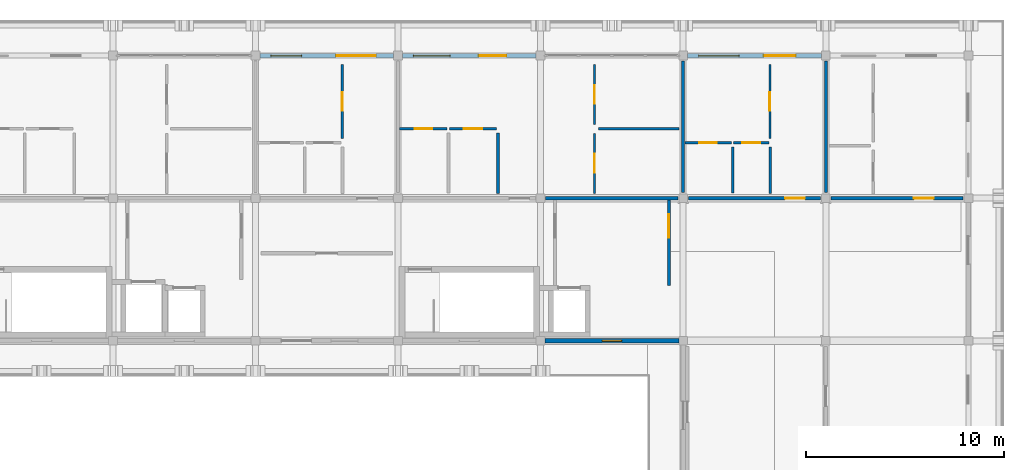
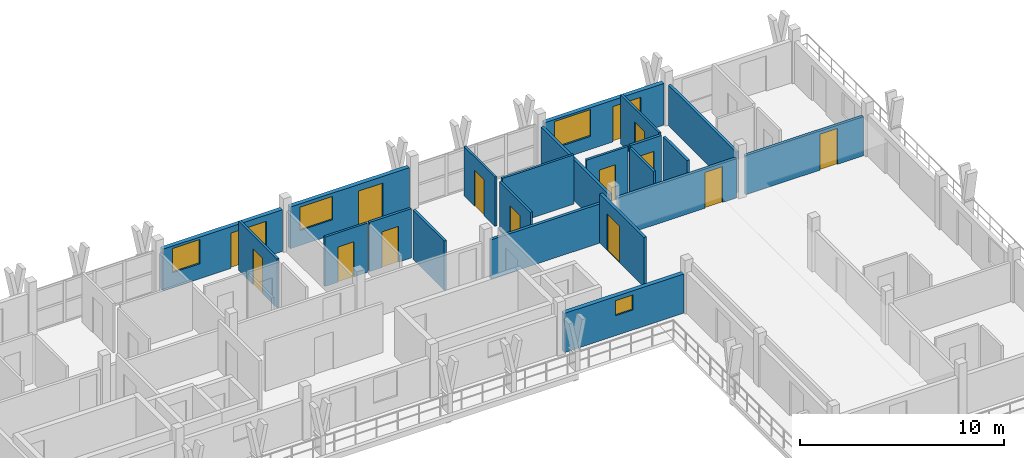
# One storey, part 25 of 32: 22 walls, 14 doors, 4 windows, 18 openings.
"""IFC4 building model written with IfcOpenShell, lengths in metres."""

from ifc_helpers import new_model, si_unit, direction, frame, frame_2d, origin, place, context, subcontext, project, spatial, rectangle, extrude, material, layer, layer_set, type_object, element, fill, save


model = new_model("IFC4")

# Units and contexts
model_context = context("Model", 3, precision=1e-05, world=origin(), true_north=direction((0.0, 1.0)))
body_context = subcontext(model_context, "Body", "Model", "MODEL_VIEW")
ifc_project = project(units=[si_unit("LENGTHUNIT", "METRE"), si_unit("AREAUNIT", "SQUARE_METRE"), si_unit("VOLUMEUNIT", "CUBIC_METRE"), si_unit("PLANEANGLEUNIT", "RADIAN"), si_unit("MASSUNIT", "GRAM", prefix="KILO")], contexts=[model_context])

# Site, building, storey
site_placement = place(None, origin())
site = spatial("IfcSite", under=ifc_project, at=site_placement, CompositionType="ELEMENT")
building_placement = place(site_placement, origin())
building = spatial("IfcBuilding", under=site, at=building_placement, Name="Suanplinth Sawtooth Commons", CompositionType="ELEMENT")
storey_placement = place(building_placement, frame((0.0, 0.0, 41.199951171875)))
storey = spatial("IfcBuildingStorey", under=building, at=storey_placement, Name="L12", CompositionType="ELEMENT", Elevation=41.199951171875)

# Wall, openings, door, window
ifc_material_1 = material(Name="Precast concrete C40/50", Category="concrete")
ifc_layer_1 = layer(ifc_material_1, 0.239990234375, Name="Upper insulated precast facade wall 240mm")
ifc_layer_set_1 = layer_set([ifc_layer_1], Name="Precast concrete C40/50")
wall_type_1 = type_object("IfcWallType", Name="W-EX03", PredefinedType="ELEMENTEDWALL", material=ifc_layer_set_1)
wall_1_placement = place(storey_placement, frame((151.425048828125, 122.39990234375, 0.0), z_axis=(0.0, 0.0, 1.0), x_axis=(1.0, 0.0, 0.0)))
wall_1 = element("IfcWall", 1, at=wall_1_placement, inside=storey, type_object=wall_type_1, Name="Facade Wall W-L12-B-N-21-16", PredefinedType="ELEMENTEDWALL", context=body_context, shape_type="SweptSolid", body=[
    extrude(rectangle(XDim=6.75, YDim=0.239990234375, at=frame_2d((3.375, 0.0))), origin(), (0.0, 0.0, 1.0), 2.4951171875),
])
opening_1_placement = place(wall_1_placement, frame((3.85009765625, 0.0, 0.0)))
opening_1 = element("IfcOpeningElement", 2, at=opening_1_placement, cuts=wall_1, Name="Opening ED0822", PredefinedType="OPENING", context=body_context, shape_type="SweptSolid", body=[
    extrude(rectangle(XDim=2.0, YDim=2.1201171875, at=frame_2d((1.0, 1.06005859375))), frame((0.0, 0.134765625, 0.0), z_axis=(0.0, -1.0, 0.0), x_axis=(1.0, 0.0, 0.0)), (0.0, 0.0, 1.0), 0.269775390625),
])
opening_2_placement = place(wall_1_placement, frame((0.550048828125, 0.0, 0.89990234375)))
opening_2 = element("IfcOpeningElement", 3, at=opening_2_placement, cuts=wall_1, Name="Opening W0907", PredefinedType="OPENING", context=body_context, shape_type="SweptSolid", body=[
    extrude(rectangle(XDim=1.550048828125, YDim=1.449951171875, at=frame_2d((0.77490234375, 0.72509765625))), frame((0.0, 0.134765625, 0.0), z_axis=(0.0, -1.0, 0.0), x_axis=(1.0, 0.0, 0.0)), (0.0, 0.0, 1.0), 0.269775390625),
])
ifc_material_2 = material(Name="Anodized aluminium and low-E glass", Category="aluminium")
door_type_1 = type_object("IfcDoorType", Name="SD-06", OperationType="DOUBLE_DOOR_SLIDING", PredefinedType="DOOR", material=ifc_material_2)
door_1_placement = place(opening_1_placement, frame((2.0, 0.0, 0.0), z_axis=(0.0, 0.0, 1.0), x_axis=(-1.0, 0.0, 0.0)))
door_1 = element("IfcDoor", 4, at=door_1_placement, inside=storey, type_object=door_type_1, Name="Balcony Sliding Door L12-B-21", OperationType="DOUBLE_DOOR_SLIDING", OverallHeight=2.1201171875, OverallWidth=2.0, PredefinedType="DOOR", context=body_context, shape_type="SweptSolid", body=[
    extrude(rectangle(XDim=2.0, YDim=2.1201171875, at=frame_2d((1.0, 1.06005859375))), frame((0.0, 0.02490234375, 0.0), z_axis=(0.0, -1.0, 0.0), x_axis=(1.0, 0.0, 0.0)), (0.0, 0.0, 1.0), 0.050048828125),
])
fill(opening_1, door_1)
ifc_material_3 = material(Name="Thermally broken aluminium and low-E double glazing", Category="aluminium")
window_type_1 = type_object("IfcWindowType", Name="WN-22", PartitioningType="DOUBLE_PANEL_VERTICAL", PredefinedType="WINDOW", material=ifc_material_3)
window_1_placement = place(opening_2_placement, origin())
window_1 = element("IfcWindow", 5, at=window_1_placement, inside=storey, type_object=window_type_1, Name="Apartment Window L12-B-21", OverallHeight=1.449951171875, OverallWidth=1.550048828125, PartitioningType="DOUBLE_PANEL_VERTICAL", PredefinedType="WINDOW", context=body_context, shape_type="SweptSolid", body=[
    extrude(rectangle(XDim=1.550048828125, YDim=1.449951171875, at=frame_2d((0.77490234375, 0.72509765625))), frame((0.0, 0.030029296875, 0.0), z_axis=(0.0, -1.0, 0.0), x_axis=(1.0, 0.0, 0.0)), (0.0, 0.0, 1.0), 0.06005859375),
])
fill(opening_2, window_1)

wall_2_placement = place(storey_placement, frame((158.625, 122.39990234375, 0.0), z_axis=(0.0, 0.0, 1.0), x_axis=(1.0, 0.0, 0.0)))
wall_2 = element("IfcWall", 6, at=wall_2_placement, inside=storey, type_object=wall_type_1, Name="Facade Wall W-L12-B-N-22-16", PredefinedType="ELEMENTEDWALL", context=body_context, shape_type="SweptSolid", body=[
    extrude(rectangle(XDim=6.75, YDim=0.239990234375, at=frame_2d((3.375, 0.0))), origin(), (0.0, 0.0, 1.0), 2.4951171875),
])
opening_3_placement = place(wall_2_placement, frame((3.85009765625, 0.0, 0.0)))
opening_3 = element("IfcOpeningElement", 7, at=opening_3_placement, cuts=wall_2, Name="Opening ED0823", PredefinedType="OPENING", context=body_context, shape_type="SweptSolid", body=[
    extrude(rectangle(XDim=1.39990234375, YDim=2.10009765625, at=frame_2d((0.699951171875, 1.050048828125))), frame((0.0, 0.134765625, 0.0), z_axis=(0.0, -1.0, 0.0), x_axis=(1.0, 0.0, 0.0)), (0.0, 0.0, 1.0), 0.269775390625),
])
opening_4_placement = place(wall_2_placement, frame((0.550048828125, 0.0, 0.89990234375)))
opening_4 = element("IfcOpeningElement", 8, at=opening_4_placement, cuts=wall_2, Name="Opening W0909", PredefinedType="OPENING", context=body_context, shape_type="SweptSolid", body=[
    extrude(rectangle(XDim=1.85009765625, YDim=1.39990234375, at=frame_2d((0.925048828125, 0.699951171875))), frame((0.0, 0.134765625, 0.0), z_axis=(0.0, -1.0, 0.0), x_axis=(1.0, 0.0, 0.0)), (0.0, 0.0, 1.0), 0.269775390625),
])
door_type_2 = type_object("IfcDoorType", Name="SD-07", OperationType="SLIDING_TO_RIGHT", PredefinedType="DOOR", material=ifc_material_2)
door_2_placement = place(opening_3_placement, frame((1.39990234375, 0.0, 0.0), z_axis=(0.0, 0.0, 1.0), x_axis=(-1.0, 0.0, 0.0)))
door_2 = element("IfcDoor", 9, at=door_2_placement, inside=storey, type_object=door_type_2, Name="Balcony Sliding Door L12-B-22", OperationType="SLIDING_TO_RIGHT", OverallHeight=2.10009765625, OverallWidth=1.39990234375, PredefinedType="DOOR", context=body_context, shape_type="SweptSolid", body=[
    extrude(rectangle(XDim=1.39990234375, YDim=2.10009765625, at=frame_2d((0.699951171875, 1.050048828125))), frame((0.0, 0.02490234375, 0.0), z_axis=(0.0, -1.0, 0.0), x_axis=(1.0, 0.0, 0.0)), (0.0, 0.0, 1.0), 0.050048828125),
])
fill(opening_3, door_2)
window_type_2 = type_object("IfcWindowType", Name="WN-23", PartitioningType="DOUBLE_PANEL_VERTICAL", PredefinedType="WINDOW", material=ifc_material_3)
window_2_placement = place(opening_4_placement, origin())
window_2 = element("IfcWindow", 10, at=window_2_placement, inside=storey, type_object=window_type_2, Name="Apartment Window L12-B-22", OverallHeight=1.39990234375, OverallWidth=1.85009765625, PartitioningType="DOUBLE_PANEL_VERTICAL", PredefinedType="WINDOW", context=body_context, shape_type="SweptSolid", body=[
    extrude(rectangle(XDim=1.85009765625, YDim=1.39990234375, at=frame_2d((0.925048828125, 0.699951171875))), frame((0.0, 0.030029296875, 0.0), z_axis=(0.0, -1.0, 0.0), x_axis=(1.0, 0.0, 0.0)), (0.0, 0.0, 1.0), 0.06005859375),
])
fill(opening_4, window_2)

# Wall, opening, window
wall_3_placement = place(storey_placement, frame((165.824951171875, 108.0, 0.0), z_axis=(0.0, 0.0, 1.0), x_axis=(1.0, 0.0, 0.0)))
wall_3 = element("IfcWall", 11, at=wall_3_placement, inside=storey, type_object=wall_type_1, Name="Facade Wall W-L12-B-S-23-15", PredefinedType="ELEMENTEDWALL", context=body_context, shape_type="SweptSolid", body=[
    extrude(rectangle(XDim=6.75, YDim=0.239990234375, at=frame_2d((3.375, 0.0))), origin(), (0.0, 0.0, 1.0), 2.344970703125),
])
opening_5_placement = place(wall_3_placement, frame((2.875, 0.0, 1.199951171875)))
opening_5 = element("IfcOpeningElement", 12, at=opening_5_placement, cuts=wall_3, Name="Opening W0910", PredefinedType="OPENING", context=body_context, shape_type="SweptSolid", body=[
    extrude(rectangle(XDim=1.0, YDim=0.89990234375, at=frame_2d((0.5, 0.449951171875))), frame((0.0, 0.134765625, 0.0), z_axis=(0.0, -1.0, 0.0), x_axis=(1.0, 0.0, 0.0)), (0.0, 0.0, 1.0), 0.269775390625),
])
window_type_3 = type_object("IfcWindowType", Name="WN-12", PartitioningType="SINGLE_PANEL", PredefinedType="WINDOW", material=ifc_material_3)
window_3_placement = place(opening_5_placement, origin())
window_3 = element("IfcWindow", 13, at=window_3_placement, inside=storey, type_object=window_type_3, Name="Core Daylight Window L12-B-23-15", OverallHeight=0.89990234375, OverallWidth=1.0, PartitioningType="SINGLE_PANEL", PredefinedType="WINDOW", context=body_context, shape_type="SweptSolid", body=[
    extrude(rectangle(XDim=1.0, YDim=0.89990234375, at=frame_2d((0.5, 0.449951171875))), frame((0.0, 0.030029296875, 0.0), z_axis=(0.0, -1.0, 0.0), x_axis=(1.0, 0.0, 0.0)), (0.0, 0.0, 1.0), 0.06005859375),
])
fill(opening_5, window_3)

# Wall, openings, door, window
wall_4_placement = place(storey_placement, frame((173.02490234375, 122.39990234375, 0.0), z_axis=(0.0, 0.0, 1.0), x_axis=(1.0, 0.0, 0.0)))
wall_4 = element("IfcWall", 14, at=wall_4_placement, inside=storey, type_object=wall_type_1, Name="Facade Wall W-L12-B-N-24-16", PredefinedType="ELEMENTEDWALL", context=body_context, shape_type="SweptSolid", body=[
    extrude(rectangle(XDim=6.75, YDim=0.239990234375, at=frame_2d((3.375, 0.0))), origin(), (0.0, 0.0, 1.0), 2.4951171875),
])
opening_6_placement = place(wall_4_placement, frame((3.85009765625, 0.0, 0.0)))
opening_6 = element("IfcOpeningElement", 15, at=opening_6_placement, cuts=wall_4, Name="Opening ED0826", PredefinedType="OPENING", context=body_context, shape_type="SweptSolid", body=[
    extrude(rectangle(XDim=1.60009765625, YDim=2.1201171875, at=frame_2d((0.800048828125, 1.06005859375))), frame((0.0, 0.134765625, 0.0), z_axis=(0.0, -1.0, 0.0), x_axis=(1.0, 0.0, 0.0)), (0.0, 0.0, 1.0), 0.269775390625),
])
opening_7_placement = place(wall_4_placement, frame((0.550048828125, 0.0, 0.780029296875)))
opening_7 = element("IfcOpeningElement", 16, at=opening_7_placement, cuts=wall_4, Name="Opening W0912", PredefinedType="OPENING", context=body_context, shape_type="SweptSolid", body=[
    extrude(rectangle(XDim=2.050048828125, YDim=1.60009765625, at=frame_2d((1.02490234375, 0.800048828125))), frame((0.0, 0.134765625, 0.0), z_axis=(0.0, -1.0, 0.0), x_axis=(1.0, 0.0, 0.0)), (0.0, 0.0, 1.0), 0.269775390625),
])
door_type_3 = type_object("IfcDoorType", Name="SD-02", OperationType="SLIDING_TO_RIGHT", PredefinedType="DOOR", material=ifc_material_2)
door_3_placement = place(opening_6_placement, frame((1.60009765625, 0.0, 0.0), z_axis=(0.0, 0.0, 1.0), x_axis=(-1.0, 0.0, 0.0)))
door_3 = element("IfcDoor", 17, at=door_3_placement, inside=storey, type_object=door_type_3, Name="Balcony Sliding Door L12-B-24", OperationType="SLIDING_TO_RIGHT", OverallHeight=2.1201171875, OverallWidth=1.60009765625, PredefinedType="DOOR", context=body_context, shape_type="SweptSolid", body=[
    extrude(rectangle(XDim=1.60009765625, YDim=2.1201171875, at=frame_2d((0.800048828125, 1.06005859375))), frame((0.0, 0.02490234375, 0.0), z_axis=(0.0, -1.0, 0.0), x_axis=(1.0, 0.0, 0.0)), (0.0, 0.0, 1.0), 0.050048828125),
])
fill(opening_6, door_3)
window_type_4 = type_object("IfcWindowType", Name="WN-25", PartitioningType="DOUBLE_PANEL_VERTICAL", PredefinedType="WINDOW", material=ifc_material_3)
window_4_placement = place(opening_7_placement, origin())
window_4 = element("IfcWindow", 18, at=window_4_placement, inside=storey, type_object=window_type_4, Name="Apartment Window L12-B-24", OverallHeight=1.60009765625, OverallWidth=2.050048828125, PartitioningType="DOUBLE_PANEL_VERTICAL", PredefinedType="WINDOW", context=body_context, shape_type="SweptSolid", body=[
    extrude(rectangle(XDim=2.050048828125, YDim=1.60009765625, at=frame_2d((1.02490234375, 0.800048828125))), frame((0.0, 0.030029296875, 0.0), z_axis=(0.0, -1.0, 0.0), x_axis=(1.0, 0.0, 0.0)), (0.0, 0.0, 1.0), 0.06005859375),
])
fill(opening_7, window_4)

# Wall, opening, door
ifc_layer_2 = layer(ifc_material_1, 0.159912109375, Name="Fire-rated corridor and lobby wall 160mm")
ifc_layer_set_2 = layer_set([ifc_layer_2], Name="Precast concrete C40/50")
wall_type_2 = type_object("IfcWallType", Name="W-FW01", PredefinedType="PARTITIONING", material=ifc_layer_set_2)
wall_5_placement = place(storey_placement, frame((172.080078125, 110.800048828125, 0.0), z_axis=(0.0, 0.0, 1.0), x_axis=(0.0, 1.0, 0.0)))
wall_5 = element("IfcWall", 19, at=wall_5_placement, inside=storey, type_object=wall_type_2, Name="W-L12-C-B2-LOB-E", PredefinedType="PARTITIONING", context=body_context, shape_type="SweptSolid", body=[
    extrude(rectangle(XDim=4.320068359375, YDim=0.159912109375, at=frame_2d((2.16015625, 0.0))), origin(), (0.0, 0.0, 1.0), 2.949951171875),
])
opening_8_placement = place(wall_5_placement, frame((2.39990234375, 0.0, 0.0)))
opening_8 = element("IfcOpeningElement", 20, at=opening_8_placement, cuts=wall_5, Name="Opening FD0274", PredefinedType="OPENING", context=body_context, shape_type="SweptSolid", body=[
    extrude(rectangle(XDim=1.199951171875, YDim=2.199951171875, at=frame_2d((0.60009765625, 1.10009765625))), frame((0.0, 0.0947265625, 0.0), z_axis=(0.0, -1.0, 0.0), x_axis=(1.0, 0.0, 0.0)), (0.0, 0.0, 1.0), 0.189697265625),
])
ifc_material_4 = material(Name="Teak hardwood fire-rated door assembly", Category="wood")
door_type_4 = type_object("IfcDoorType", Name="FD-02", OperationType="NOTDEFINED", PredefinedType="DOOR", material=ifc_material_4)
door_4_placement = place(opening_8_placement, frame((1.199951171875, 0.0, 0.0), z_axis=(0.0, 0.0, 1.0), x_axis=(-1.0, 0.0, 0.0)))
door_4 = element("IfcDoor", 21, at=door_4_placement, inside=storey, type_object=door_type_4, Name="Lobby Fire Door FD0274", OperationType="SINGLE_SWING_RIGHT", OverallHeight=2.199951171875, OverallWidth=1.199951171875, PredefinedType="DOOR", context=body_context, shape_type="SweptSolid", body=[
    extrude(rectangle(XDim=1.199951171875, YDim=2.199951171875, at=frame_2d((0.60009765625, 1.10009765625))), frame((0.0, 0.02490234375, 0.0), z_axis=(0.0, -1.0, 0.0), x_axis=(1.0, 0.0, 0.0)), (0.0, 0.0, 1.0), 0.050048828125),
])
fill(opening_8, door_4)

# Wall
wall_6_placement = place(storey_placement, frame((165.85498046875, 115.199951171875, 0.0), z_axis=(0.0, 0.0, 1.0), x_axis=(1.0, 0.0, 0.0)))
element("IfcWall", 22, at=wall_6_placement, inside=storey, type_object=wall_type_2, Name="W-B-L12-U03-COR-S2", PredefinedType="PARTITIONING", context=body_context, shape_type="SweptSolid", body=[
    extrude(rectangle(XDim=6.68994140625, YDim=0.159912109375, at=frame_2d((3.344970703125, 0.0))), origin(), (0.0, 0.0, 1.0), 2.344970703125),
])

# Wall, opening, door
wall_7_placement = place(storey_placement, frame((173.054931640625, 115.199951171875, 0.0), z_axis=(0.0, 0.0, 1.0), x_axis=(1.0, 0.0, 0.0)))
wall_7 = element("IfcWall", 23, at=wall_7_placement, inside=storey, type_object=wall_type_2, Name="W-B-L12-U04-COR", PredefinedType="PARTITIONING", context=body_context, shape_type="SweptSolid", body=[
    extrude(rectangle(XDim=6.690185546875, YDim=0.159912109375, at=frame_2d((3.34521484375, 0.0))), origin(), (0.0, 0.0, 1.0), 2.344970703125),
])
opening_9_placement = place(wall_7_placement, frame((4.89501953125, 0.0, 0.0)))
opening_9 = element("IfcOpeningElement", 24, at=opening_9_placement, cuts=wall_7, Name="Opening FD2024", PredefinedType="OPENING", context=body_context, shape_type="SweptSolid", body=[
    extrude(rectangle(XDim=1.0, YDim=2.14990234375, at=frame_2d((0.5, 1.074951171875))), frame((0.0, 0.0947265625, 0.0), z_axis=(0.0, -1.0, 0.0), x_axis=(1.0, 0.0, 0.0)), (0.0, 0.0, 1.0), 0.189697265625),
])
door_type_5 = type_object("IfcDoorType", Name="FD-03", OperationType="NOTDEFINED", PredefinedType="DOOR", material=ifc_material_4)
door_5_placement = place(opening_9_placement, origin())
door_5 = element("IfcDoor", 25, at=door_5_placement, inside=storey, type_object=door_type_5, Name="Unit Entrance Door FD2024", OperationType="SINGLE_SWING_RIGHT", OverallHeight=2.14990234375, OverallWidth=1.0, PredefinedType="DOOR", context=body_context, shape_type="SweptSolid", body=[
    extrude(rectangle(XDim=1.0, YDim=2.14990234375, at=frame_2d((0.5, 1.074951171875))), frame((0.0, 0.02490234375, 0.0), z_axis=(0.0, -1.0, 0.0), x_axis=(1.0, 0.0, 0.0)), (0.0, 0.0, 1.0), 0.050048828125),
])
fill(opening_9, door_5)

wall_8_placement = place(storey_placement, frame((180.2548828125, 115.199951171875, 0.0), z_axis=(0.0, 0.0, 1.0), x_axis=(1.0, 0.0, 0.0)))
wall_8 = element("IfcWall", 26, at=wall_8_placement, inside=storey, type_object=wall_type_2, Name="W-B-L12-U05-COR", PredefinedType="PARTITIONING", context=body_context, shape_type="SweptSolid", body=[
    extrude(rectangle(XDim=6.6650390625, YDim=0.159912109375, at=frame_2d((3.33251953125, 0.0))), origin(), (0.0, 0.0, 1.0), 2.344970703125),
])
opening_10_placement = place(wall_8_placement, frame((4.195068359375, 0.0, 0.0)))
opening_10 = element("IfcOpeningElement", 27, at=opening_10_placement, cuts=wall_8, Name="Opening FD2028", PredefinedType="OPENING", context=body_context, shape_type="SweptSolid", body=[
    extrude(rectangle(XDim=1.0, YDim=2.14990234375, at=frame_2d((0.5, 1.074951171875))), frame((0.0, 0.0947265625, 0.0), z_axis=(0.0, -1.0, 0.0), x_axis=(1.0, 0.0, 0.0)), (0.0, 0.0, 1.0), 0.189697265625),
])
door_6_placement = place(opening_10_placement, origin())
door_6 = element("IfcDoor", 28, at=door_6_placement, inside=storey, type_object=door_type_5, Name="Unit Entrance Door FD2028", OperationType="SINGLE_SWING_RIGHT", OverallHeight=2.14990234375, OverallWidth=1.0, PredefinedType="DOOR", context=body_context, shape_type="SweptSolid", body=[
    extrude(rectangle(XDim=1.0, YDim=2.14990234375, at=frame_2d((0.5, 1.074951171875))), frame((0.0, 0.02490234375, 0.0), z_axis=(0.0, -1.0, 0.0), x_axis=(1.0, 0.0, 0.0)), (0.0, 0.0, 1.0), 0.050048828125),
])
fill(opening_10, door_6)

# Walls
ifc_layer_3 = layer(ifc_material_1, 0.14990234375, Name="Acoustic precast party demising wall 150mm")
ifc_layer_set_3 = layer_set([ifc_layer_3], Name="Precast concrete C40/50")
wall_type_3 = type_object("IfcWallType", Name="W-FW02", PredefinedType="PARTITIONING", material=ifc_layer_set_3)
for number, where, z_axis, x_axis, name in (
    (29, (172.800048828125, 115.47998046875, 0.0), (0.0, 0.0, 1.0), (0.0, 1.0, 0.0), "W-B-L12-U03-PTY"),
    (30, (180.0, 115.47998046875, 0.0), (0.0, 0.0, 1.0), (0.0, 1.0, 0.0), "W-B-L12-U04-PTY"),
):
    element("IfcWall", number, at=place(storey_placement, frame(where, z_axis=z_axis, x_axis=x_axis)), inside=storey, type_object=wall_type_3, Name=name, PredefinedType="PARTITIONING", context=body_context, shape_type="SweptSolid", body=[
        extrude(rectangle(XDim=6.64013671875, YDim=0.14990234375, at=frame_2d((3.320068359375, 0.0))), origin(), (0.0, 0.0, 1.0), 2.445068359375),
    ])

# Wall, opening, door
ifc_material_5 = material(Name="Gypsum plasterboard on steel stud", Category="steel")
ifc_layer_4 = layer(ifc_material_5, 0.139892578125, Name="Fire-rated kitchen partition 140mm")
ifc_layer_set_4 = layer_set([ifc_layer_4], Name="Gypsum plasterboard on steel stud")
wall_type_4 = type_object("IfcWallType", Name="W-PT01", PredefinedType="PARTITIONING", material=ifc_layer_set_4)
wall_9_placement = place(storey_placement, frame((161.0, 118.7099609375, 0.0), z_axis=(0.0, 0.0, 1.0), x_axis=(1.0, 0.0, 0.0)))
wall_9 = element("IfcWall", 31, at=wall_9_placement, inside=storey, type_object=wall_type_4, Name="W-B-L12-U03-KIT1", PredefinedType="PARTITIONING", context=body_context, shape_type="SweptSolid", body=[
    extrude(rectangle(XDim=2.3798828125, YDim=0.139892578125, at=frame_2d((1.18994140625, 0.0))), origin(), (0.0, 0.0, 1.0), 2.949951171875),
])
opening_11_placement = place(wall_9_placement, frame((0.72509765625, 0.0, 0.0)))
opening_11 = element("IfcOpeningElement", 32, at=opening_11_placement, cuts=wall_9, Name="Opening D2021", PredefinedType="OPENING", context=body_context, shape_type="SweptSolid", body=[
    extrude(rectangle(XDim=0.929931640625, YDim=2.139892578125, at=frame_2d((0.46484375, 1.06982421875))), frame((0.0, 0.0849609375, 0.0), z_axis=(0.0, -1.0, 0.0), x_axis=(1.0, 0.0, 0.0)), (0.0, 0.0, 1.0), 0.169677734375),
])
ifc_material_6 = material(Name="Teak hardwood", Category="wood")
door_type_6 = type_object("IfcDoorType", Name="D-19", OperationType="NOTDEFINED", PredefinedType="DOOR", material=ifc_material_6)
door_7_placement = place(opening_11_placement, frame((0.929931640625, 0.0, 0.0), z_axis=(0.0, 0.0, 1.0), x_axis=(-1.0, 0.0, 0.0)))
door_7 = element("IfcDoor", 33, at=door_7_placement, inside=storey, type_object=door_type_6, Name="Kitchen Door D2021", OperationType="SINGLE_SWING_LEFT", OverallHeight=2.139892578125, OverallWidth=0.929931640625, PredefinedType="DOOR", context=body_context, shape_type="SweptSolid", body=[
    extrude(rectangle(XDim=0.929931640625, YDim=2.139892578125, at=frame_2d((0.46484375, 1.06982421875))), frame((0.0, 0.02490234375, 0.0), z_axis=(0.0, -1.0, 0.0), x_axis=(1.0, 0.0, 0.0)), (0.0, 0.0, 1.0), 0.050048828125),
])
fill(opening_11, door_7)

# Wall
wall_10_placement = place(storey_placement, frame((163.449951171875, 115.429931640625, 0.0), z_axis=(0.0, 0.0, 1.0), x_axis=(0.0, 1.0, 0.0)))
element("IfcWall", 34, at=wall_10_placement, inside=storey, type_object=wall_type_4, Name="W-B-L12-U03-KIT2", PredefinedType="PARTITIONING", context=body_context, shape_type="SweptSolid", body=[
    extrude(rectangle(XDim=3.06005859375, YDim=0.139892578125, at=frame_2d((1.530029296875, 0.0))), origin(), (0.0, 0.0, 1.0), 2.949951171875),
])

# Wall, opening, door
wall_11_placement = place(storey_placement, frame((175.35009765625, 118.0, 0.0), z_axis=(0.0, 0.0, 1.0), x_axis=(1.0, 0.0, 0.0)))
wall_11 = element("IfcWall", 35, at=wall_11_placement, inside=storey, type_object=wall_type_4, Name="W-B-L12-U04-KIT1", PredefinedType="PARTITIONING", context=body_context, shape_type="SweptSolid", body=[
    extrude(rectangle(XDim=1.77001953125, YDim=0.139892578125, at=frame_2d((0.885009765625, 0.0))), origin(), (0.0, 0.0, 1.0), 2.949951171875),
])
opening_12_placement = place(wall_11_placement, frame((0.419921875, 0.0, 0.0)))
opening_12 = element("IfcOpeningElement", 36, at=opening_12_placement, cuts=wall_11, Name="Opening D2026", PredefinedType="OPENING", context=body_context, shape_type="SweptSolid", body=[
    extrude(rectangle(XDim=0.929931640625, YDim=2.139892578125, at=frame_2d((0.46484375, 1.06982421875))), frame((0.0, 0.0849609375, 0.0), z_axis=(0.0, -1.0, 0.0), x_axis=(1.0, 0.0, 0.0)), (0.0, 0.0, 1.0), 0.169677734375),
])
door_8_placement = place(opening_12_placement, frame((0.929931640625, 0.0, 0.0), z_axis=(0.0, 0.0, 1.0), x_axis=(-1.0, 0.0, 0.0)))
door_8 = element("IfcDoor", 37, at=door_8_placement, inside=storey, type_object=door_type_6, Name="Kitchen Door D2026", OperationType="SINGLE_SWING_RIGHT", OverallHeight=2.139892578125, OverallWidth=0.929931640625, PredefinedType="DOOR", context=body_context, shape_type="SweptSolid", body=[
    extrude(rectangle(XDim=0.929931640625, YDim=2.139892578125, at=frame_2d((0.46484375, 1.06982421875))), frame((0.0, 0.02490234375, 0.0), z_axis=(0.0, -1.0, 0.0), x_axis=(1.0, 0.0, 0.0)), (0.0, 0.0, 1.0), 0.050048828125),
])
fill(opening_12, door_8)

# Wall
wall_12_placement = place(storey_placement, frame((177.18994140625, 115.429931640625, 0.0), z_axis=(0.0, 0.0, 1.0), x_axis=(0.0, 1.0, 0.0)))
element("IfcWall", 38, at=wall_12_placement, inside=storey, type_object=wall_type_4, Name="W-B-L12-U04-KIT2", PredefinedType="PARTITIONING", context=body_context, shape_type="SweptSolid", body=[
    extrude(rectangle(XDim=2.35009765625, YDim=0.139892578125, at=frame_2d((1.175048828125, 0.0))), origin(), (0.0, 0.0, 1.0), 2.949951171875),
])

# Wall, opening, door
ifc_layer_5 = layer(ifc_material_5, 0.1298828125, Name="Moisture-resistant bathroom partition 130mm")
ifc_layer_set_5 = layer_set([ifc_layer_5], Name="Gypsum plasterboard on steel stud")
wall_type_5 = type_object("IfcWallType", Name="W-PT02", PredefinedType="PARTITIONING", material=ifc_layer_set_5)
wall_13_placement = place(storey_placement, frame((158.47998046875, 118.705078125, 0.0), z_axis=(0.0, 0.0, 1.0), x_axis=(1.0, 0.0, 0.0)))
wall_13 = element("IfcWall", 39, at=wall_13_placement, inside=storey, type_object=wall_type_5, Name="W-B-L12-U03-BTH1", PredefinedType="PARTITIONING", context=body_context, shape_type="SweptSolid", body=[
    extrude(rectangle(XDim=2.39990234375, YDim=0.1298828125, at=frame_2d((1.199951171875, 0.0))), origin(), (0.0, 0.0, 1.0), 2.949951171875),
])
opening_13_placement = place(wall_13_placement, frame((0.75, 0.0, 0.0)))
opening_13 = element("IfcOpeningElement", 40, at=opening_13_placement, cuts=wall_13, Name="Opening D2020", PredefinedType="OPENING", context=body_context, shape_type="SweptSolid", body=[
    extrude(rectangle(XDim=0.89990234375, YDim=2.10009765625, at=frame_2d((0.449951171875, 1.050048828125))), frame((0.0, 0.079833984375, 0.0), z_axis=(0.0, -1.0, 0.0), x_axis=(1.0, 0.0, 0.0)), (0.0, 0.0, 1.0), 0.15966796875),
])
door_type_7 = type_object("IfcDoorType", Name="D-01", OperationType="NOTDEFINED", PredefinedType="DOOR", material=ifc_material_6)
door_9_placement = place(opening_13_placement, frame((0.89990234375, 0.0, 0.0), z_axis=(0.0, 0.0, 1.0), x_axis=(-1.0, 0.0, 0.0)))
door_9 = element("IfcDoor", 41, at=door_9_placement, inside=storey, type_object=door_type_7, Name="Bathroom Door D2020", OperationType="SINGLE_SWING_RIGHT", OverallHeight=2.10009765625, OverallWidth=0.89990234375, PredefinedType="DOOR", context=body_context, shape_type="SweptSolid", body=[
    extrude(rectangle(XDim=0.89990234375, YDim=2.10009765625, at=frame_2d((0.449951171875, 1.050048828125))), frame((0.0, 0.02490234375, 0.0), z_axis=(0.0, -1.0, 0.0), x_axis=(1.0, 0.0, 0.0)), (0.0, 0.0, 1.0), 0.050048828125),
])
fill(opening_13, door_9)

wall_14_placement = place(storey_placement, frame((172.8798828125, 117.9951171875, 0.0), z_axis=(0.0, 0.0, 1.0), x_axis=(1.0, 0.0, 0.0)))
wall_14 = element("IfcWall", 42, at=wall_14_placement, inside=storey, type_object=wall_type_5, Name="W-B-L12-U04-BTH1", PredefinedType="PARTITIONING", context=body_context, shape_type="SweptSolid", body=[
    extrude(rectangle(XDim=2.35009765625, YDim=0.1298828125, at=frame_2d((1.175048828125, 0.0))), origin(), (0.0, 0.0, 1.0), 2.949951171875),
])
opening_14_placement = place(wall_14_placement, frame((0.72509765625, 0.0, 0.0)))
opening_14 = element("IfcOpeningElement", 43, at=opening_14_placement, cuts=wall_14, Name="Opening D2025", PredefinedType="OPENING", context=body_context, shape_type="SweptSolid", body=[
    extrude(rectangle(XDim=0.89990234375, YDim=2.10009765625, at=frame_2d((0.449951171875, 1.050048828125))), frame((0.0, 0.079833984375, 0.0), z_axis=(0.0, -1.0, 0.0), x_axis=(1.0, 0.0, 0.0)), (0.0, 0.0, 1.0), 0.15966796875),
])
door_10_placement = place(opening_14_placement, frame((0.89990234375, 0.0, 0.0), z_axis=(0.0, 0.0, 1.0), x_axis=(-1.0, 0.0, 0.0)))
door_10 = element("IfcDoor", 44, at=door_10_placement, inside=storey, type_object=door_type_7, Name="Bathroom Door D2025", OperationType="SINGLE_SWING_LEFT", OverallHeight=2.10009765625, OverallWidth=0.89990234375, PredefinedType="DOOR", context=body_context, shape_type="SweptSolid", body=[
    extrude(rectangle(XDim=0.89990234375, YDim=2.10009765625, at=frame_2d((0.449951171875, 1.050048828125))), frame((0.0, 0.02490234375, 0.0), z_axis=(0.0, -1.0, 0.0), x_axis=(1.0, 0.0, 0.0)), (0.0, 0.0, 1.0), 0.050048828125),
])
fill(opening_14, door_10)

# Wall
wall_15_placement = place(storey_placement, frame((175.294921875, 115.4599609375, 0.0), z_axis=(0.0, 0.0, 1.0), x_axis=(0.0, 1.0, 0.0)))
element("IfcWall", 45, at=wall_15_placement, inside=storey, type_object=wall_type_5, Name="W-B-L12-U04-BTH2", PredefinedType="PARTITIONING", context=body_context, shape_type="SweptSolid", body=[
    extrude(rectangle(XDim=2.330078125, YDim=0.1298828125, at=frame_2d((1.1650390625, 0.0))), origin(), (0.0, 0.0, 1.0), 2.949951171875),
])

# Wall, opening, door
ifc_layer_6 = layer(ifc_material_5, 0.1201171875, Name="Acoustic bedroom partition 120mm")
ifc_layer_set_6 = layer_set([ifc_layer_6], Name="Gypsum plasterboard on steel stud")
wall_type_6 = type_object("IfcWallType", Name="W-PT03", PredefinedType="PARTITIONING", material=ifc_layer_set_6)
wall_16_placement = place(storey_placement, frame((155.580078125, 118.2099609375, 0.0), z_axis=(0.0, 0.0, 1.0), x_axis=(0.0, 1.0, 0.0)))
wall_16 = element("IfcWall", 46, at=wall_16_placement, inside=storey, type_object=wall_type_6, Name="W-B-L12-U02-BED1", PredefinedType="PARTITIONING", context=body_context, shape_type="SweptSolid", body=[
    extrude(rectangle(XDim=3.75, YDim=0.1201171875, at=frame_2d((1.875, 0.0))), origin(), (0.0, 0.0, 1.0), 2.949951171875),
])
opening_15_placement = place(wall_16_placement, frame((1.39990234375, 0.0, 0.0)))
opening_15 = element("IfcOpeningElement", 47, at=opening_15_placement, cuts=wall_16, Name="Opening D2018", PredefinedType="OPENING", context=body_context, shape_type="SweptSolid", body=[
    extrude(rectangle(XDim=0.949951171875, YDim=2.14990234375, at=frame_2d((0.47509765625, 1.074951171875))), frame((0.0, 0.074951171875, 0.0), z_axis=(0.0, -1.0, 0.0), x_axis=(1.0, 0.0, 0.0)), (0.0, 0.0, 1.0), 0.14990234375),
])
door_type_8 = type_object("IfcDoorType", Name="D-03", OperationType="NOTDEFINED", PredefinedType="DOOR", material=ifc_material_6)
door_11_placement = place(opening_15_placement, origin())
door_11 = element("IfcDoor", 48, at=door_11_placement, inside=storey, type_object=door_type_8, Name="Bedroom Door D2018", OperationType="SINGLE_SWING_RIGHT", OverallHeight=2.14990234375, OverallWidth=0.949951171875, PredefinedType="DOOR", context=body_context, shape_type="SweptSolid", body=[
    extrude(rectangle(XDim=0.949951171875, YDim=2.14990234375, at=frame_2d((0.47509765625, 1.074951171875))), frame((0.0, 0.02490234375, 0.0), z_axis=(0.0, -1.0, 0.0), x_axis=(1.0, 0.0, 0.0)), (0.0, 0.0, 1.0), 0.050048828125),
])
fill(opening_15, door_11)

wall_17_placement = place(storey_placement, frame((168.320068359375, 118.919921875, 0.0), z_axis=(0.0, 0.0, 1.0), x_axis=(0.0, 1.0, 0.0)))
wall_17 = element("IfcWall", 49, at=wall_17_placement, inside=storey, type_object=wall_type_6, Name="W-B-L12-U03-BED1", PredefinedType="PARTITIONING", context=body_context, shape_type="SweptSolid", body=[
    extrude(rectangle(XDim=3.0400390625, YDim=0.1201171875, at=frame_2d((1.52001953125, 0.0))), origin(), (0.0, 0.0, 1.0), 2.949951171875),
])
opening_16_placement = place(wall_17_placement, frame((1.044921875, 0.0, 0.0)))
opening_16 = element("IfcOpeningElement", 50, at=opening_16_placement, cuts=wall_17, Name="Opening D2022", PredefinedType="OPENING", context=body_context, shape_type="SweptSolid", body=[
    extrude(rectangle(XDim=0.949951171875, YDim=2.14990234375, at=frame_2d((0.47509765625, 1.074951171875))), frame((0.0, 0.074951171875, 0.0), z_axis=(0.0, -1.0, 0.0), x_axis=(1.0, 0.0, 0.0)), (0.0, 0.0, 1.0), 0.14990234375),
])
door_12_placement = place(opening_16_placement, frame((0.949951171875, 0.0, 0.0), z_axis=(0.0, 0.0, 1.0), x_axis=(-1.0, 0.0, 0.0)))
door_12 = element("IfcDoor", 51, at=door_12_placement, inside=storey, type_object=door_type_8, Name="Bedroom Door D2022", OperationType="SINGLE_SWING_RIGHT", OverallHeight=2.14990234375, OverallWidth=0.949951171875, PredefinedType="DOOR", context=body_context, shape_type="SweptSolid", body=[
    extrude(rectangle(XDim=0.949951171875, YDim=2.14990234375, at=frame_2d((0.47509765625, 1.074951171875))), frame((0.0, 0.02490234375, 0.0), z_axis=(0.0, -1.0, 0.0), x_axis=(1.0, 0.0, 0.0)), (0.0, 0.0, 1.0), 0.050048828125),
])
fill(opening_16, door_12)

wall_18_placement = place(storey_placement, frame((168.320068359375, 115.43994140625, 0.0), z_axis=(0.0, 0.0, 1.0), x_axis=(0.0, 1.0, 0.0)))
wall_18 = element("IfcWall", 52, at=wall_18_placement, inside=storey, type_object=wall_type_6, Name="W-B-L12-U03-BED2", PredefinedType="PARTITIONING", context=body_context, shape_type="SweptSolid", body=[
    extrude(rectangle(XDim=3.0400390625, YDim=0.1201171875, at=frame_2d((1.52001953125, 0.0))), origin(), (0.0, 0.0, 1.0), 2.949951171875),
])
opening_17_placement = place(wall_18_placement, frame((1.0400390625, 0.0, 0.0)))
opening_17 = element("IfcOpeningElement", 53, at=opening_17_placement, cuts=wall_18, Name="Opening D2023", PredefinedType="OPENING", context=body_context, shape_type="SweptSolid", body=[
    extrude(rectangle(XDim=0.9599609375, YDim=2.14990234375, at=frame_2d((0.47998046875, 1.074951171875))), frame((0.0, 0.074951171875, 0.0), z_axis=(0.0, -1.0, 0.0), x_axis=(1.0, 0.0, 0.0)), (0.0, 0.0, 1.0), 0.14990234375),
])
door_type_9 = type_object("IfcDoorType", Name="D-13", OperationType="NOTDEFINED", PredefinedType="DOOR", material=ifc_material_6)
door_13_placement = place(opening_17_placement, frame((0.9599609375, 0.0, 0.0), z_axis=(0.0, 0.0, 1.0), x_axis=(-1.0, 0.0, 0.0)))
door_13 = element("IfcDoor", 54, at=door_13_placement, inside=storey, type_object=door_type_9, Name="Second Bedroom Door D2023", OperationType="SINGLE_SWING_LEFT", OverallHeight=2.14990234375, OverallWidth=0.9599609375, PredefinedType="DOOR", context=body_context, shape_type="SweptSolid", body=[
    extrude(rectangle(XDim=0.9599609375, YDim=2.14990234375, at=frame_2d((0.47998046875, 1.074951171875))), frame((0.0, 0.02490234375, 0.0), z_axis=(0.0, -1.0, 0.0), x_axis=(1.0, 0.0, 0.0)), (0.0, 0.0, 1.0), 0.050048828125),
])
fill(opening_17, door_13)

wall_19_placement = place(storey_placement, frame((177.179931640625, 118.2099609375, 0.0), z_axis=(0.0, 0.0, 1.0), x_axis=(0.0, 1.0, 0.0)))
wall_19 = element("IfcWall", 55, at=wall_19_placement, inside=storey, type_object=wall_type_6, Name="W-B-L12-U04-BED1", PredefinedType="PARTITIONING", context=body_context, shape_type="SweptSolid", body=[
    extrude(rectangle(XDim=3.75, YDim=0.1201171875, at=frame_2d((1.875, 0.0))), origin(), (0.0, 0.0, 1.0), 2.949951171875),
])
opening_18_placement = place(wall_19_placement, frame((1.39990234375, 0.0, 0.0)))
opening_18 = element("IfcOpeningElement", 56, at=opening_18_placement, cuts=wall_19, Name="Opening D2027", PredefinedType="OPENING", context=body_context, shape_type="SweptSolid", body=[
    extrude(rectangle(XDim=0.949951171875, YDim=2.14990234375, at=frame_2d((0.47509765625, 1.074951171875))), frame((0.0, 0.074951171875, 0.0), z_axis=(0.0, -1.0, 0.0), x_axis=(1.0, 0.0, 0.0)), (0.0, 0.0, 1.0), 0.14990234375),
])
door_14_placement = place(opening_18_placement, origin())
door_14 = element("IfcDoor", 57, at=door_14_placement, inside=storey, type_object=door_type_8, Name="Bedroom Door D2027", OperationType="SINGLE_SWING_LEFT", OverallHeight=2.14990234375, OverallWidth=0.949951171875, PredefinedType="DOOR", context=body_context, shape_type="SweptSolid", body=[
    extrude(rectangle(XDim=0.949951171875, YDim=2.14990234375, at=frame_2d((0.47509765625, 1.074951171875))), frame((0.0, 0.02490234375, 0.0), z_axis=(0.0, -1.0, 0.0), x_axis=(1.0, 0.0, 0.0)), (0.0, 0.0, 1.0), 0.050048828125),
])
fill(opening_18, door_14)

# Wall
ifc_layer_7 = layer(ifc_material_5, 0.125, Name="Acoustic study partition 125mm")
ifc_layer_set_7 = layer_set([ifc_layer_7], Name="Gypsum plasterboard on steel stud")
wall_type_7 = type_object("IfcWallType", Name="W-PT06", PredefinedType="PARTITIONING", material=ifc_layer_set_7)
wall_20_placement = place(storey_placement, frame((168.52001953125, 118.699951171875, 0.0), z_axis=(0.0, 0.0, 1.0), x_axis=(1.0, 0.0, 0.0)))
element("IfcWall", 58, at=wall_20_placement, inside=storey, type_object=wall_type_7, Name="W-B-L12-U03-BEDDIV", PredefinedType="PARTITIONING", context=body_context, shape_type="SweptSolid", body=[
    extrude(rectangle(XDim=4.06005859375, YDim=0.125, at=frame_2d((2.030029296875, 0.0))), origin(), (0.0, 0.0, 1.0), 2.949951171875),
])

save(model, "model.ifc")
